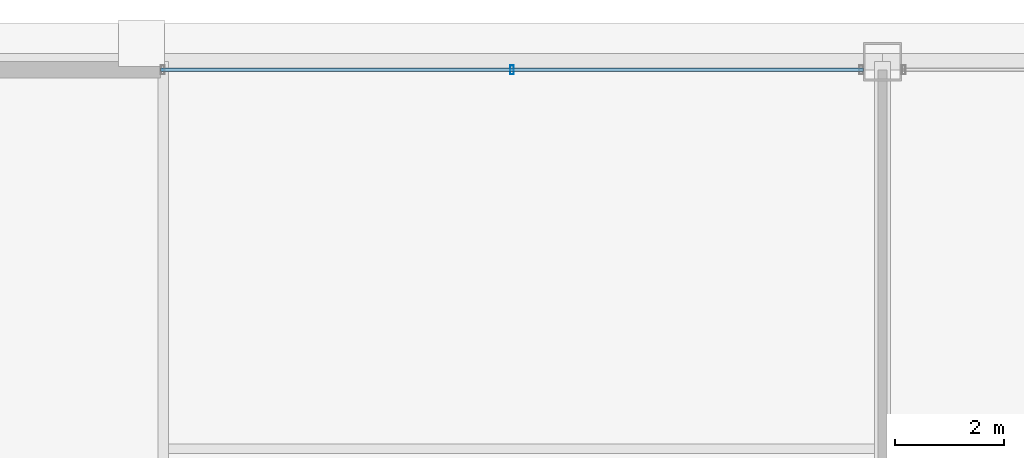
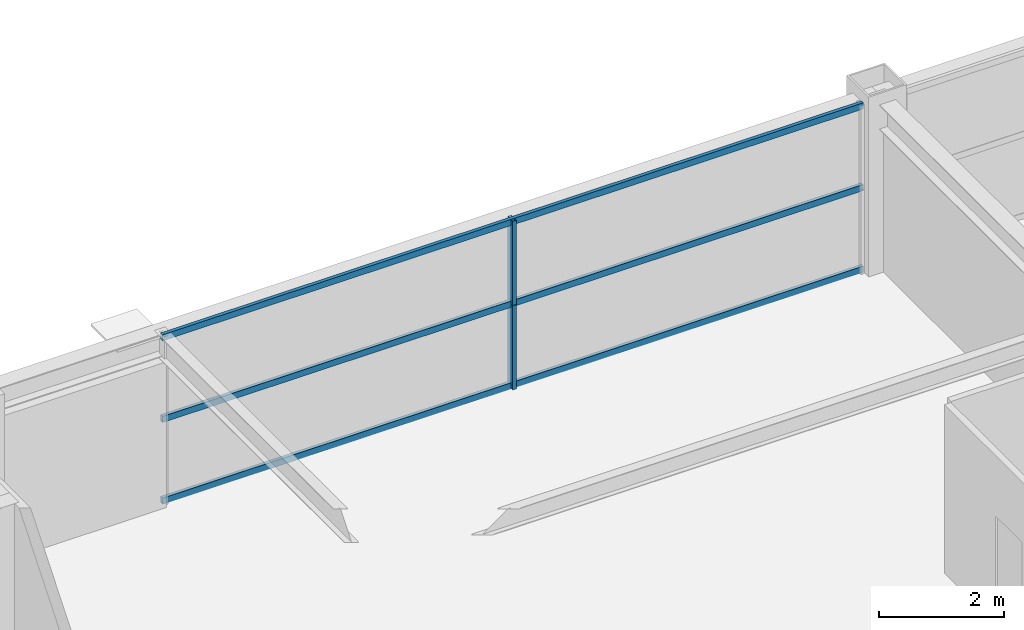
# One storey, part 27 of 37: 5 members, 1 element without a shape of its own.
"""IFC4 building model written with IfcOpenShell, lengths in metres."""

from ifc_helpers import new_model, si_unit, direction, frame, origin, origin_2d, place, context, subcontext, project, spatial, hollow_rectangle, extrude, source, transform, mapped, material, layer, layer_set, material_profile, profile_set, type_object, element, aggregate, save


model = new_model("IFC4")

# Units and contexts
model_context = context("Model", 3, precision=1e-05, world=origin(), true_north=direction((0.0, 1.0)))
body_context = subcontext(model_context, "Body", "Model", "MODEL_VIEW")
ifc_project = project(units=[si_unit("LENGTHUNIT", "METRE"), si_unit("AREAUNIT", "SQUARE_METRE"), si_unit("VOLUMEUNIT", "CUBIC_METRE"), si_unit("PLANEANGLEUNIT", "RADIAN"), si_unit("MASSUNIT", "GRAM", prefix="KILO"), si_unit("THERMODYNAMICTEMPERATUREUNIT", "KELVIN"), si_unit("POWERUNIT", "WATT")], contexts=[model_context])

# Site, building, storey
site_placement = place(None, origin())
site = spatial("IfcSite", under=ifc_project, at=site_placement, CompositionType="ELEMENT")
building_placement = place(site_placement, origin())
building = spatial("IfcBuilding", under=site, at=building_placement, Name="Yuzanri Waterfront Tower", CompositionType="ELEMENT")
storey_placement = place(building_placement, frame((0.0, 0.0, 268.10009765625)))
storey = spatial("IfcBuildingStorey", under=building, at=storey_placement, Name="L71", CompositionType="ELEMENT", Elevation=268.10009765625)

# Curtain wall, members
ifc_material_1 = material(Name="Anodized Architectural Bronze", Category="metal")
ifc_layer = layer(ifc_material_1, 0.159912109375)
ifc_layer_set = layer_set([ifc_layer], Name="Anodized Architectural Bronze")
curtain_wall_type = type_object("IfcCurtainWallType", Name="Anodized Bronze Mid-Rise Residential Acoustic Unitized Curtain Wall 7200", PredefinedType="NOTDEFINED", material=ifc_layer_set)
curtain_wall_placement = place(storey_placement, origin())
curtain_wall = element("IfcCurtainWall", 1, at=curtain_wall_placement, inside=storey, type_object=curtain_wall_type, Name="L71 Curtain Wall CW-L71-NL", PredefinedType="NOTDEFINED")
ifc_material_2 = material(Name="Anodized Architectural Bronze", Category="metal")
ifc_material_profile_1 = material_profile(ifc_material_2, hollow_rectangle(XDim=0.06494140625, YDim=0.159912109375, WallThickness=0.00341796875, at=origin_2d()), Name="CWM 65x160")
ifc_profile_set_1 = profile_set([ifc_material_profile_1], Name="Anodized Architectural Bronze")
member_type_1 = type_object("IfcMemberType", Name="Anodized Bronze Upper-Zone Curtain-Wall Mullion 65x160", PredefinedType="MULLION", material=ifc_profile_set_1)
shared_shape_1 = source(origin(), body_context, "Body", "SweptSolid", [
    extrude(hollow_rectangle(XDim=0.06494140625, YDim=0.159912109375, WallThickness=0.00341796875, at=origin_2d()), origin(), (0.0, 0.0, 1.0), 1.637939453125),
])
member_1_placement = place(storey_placement, frame((30.199951171875, 46.25, 0.0), z_axis=(0.0, 0.0, 1.0), x_axis=(1.0, 0.0, 0.0)))
member_1 = element("IfcMember", 2, at=member_1_placement, type_object=member_type_1, Name="CW-L71-NL Lower Mullion 01", PredefinedType="MULLION", context=body_context, shape_type="MappedRepresentation", body=[
    mapped(shared_shape_1, transform((0.0, 0.0, 0.0), scale=1.0)),
])
member_2_placement = place(storey_placement, frame((30.199951171875, 46.25, 1.641845703125), z_axis=(0.0, 0.0, 1.0), x_axis=(1.0, 0.0, 0.0)))
member_2 = element("IfcMember", 3, at=member_2_placement, type_object=member_type_1, Name="CW-L71-NL Upper Mullion 01", PredefinedType="MULLION", context=body_context, shape_type="MappedRepresentation", body=[
    mapped(shared_shape_1, transform((0.0, 0.0, 0.0), scale=1.0)),
])
ifc_material_3 = material(Name="Anodized Architectural Bronze", Category="metal")
ifc_material_profile_2 = material_profile(ifc_material_3, hollow_rectangle(XDim=0.06494140625, YDim=0.1201171875, WallThickness=0.00341796875, at=origin_2d()), Name="CWT 65x120")
ifc_profile_set_2 = profile_set([ifc_material_profile_2], Name="Anodized Architectural Bronze")
member_type_2 = type_object("IfcMemberType", Name="Anodized Bronze Secondary Curtain-Wall Transom 65x120", PredefinedType="USERDEFINED", material=ifc_profile_set_2)
shared_shape_2 = source(origin(), body_context, "Body", "SweptSolid", [
    extrude(hollow_rectangle(XDim=0.06494140625, YDim=0.1201171875, WallThickness=0.00341796875, at=origin_2d()), origin(), (0.0, 0.0, 1.0), 12.89990234375),
])
member_3_placement = place(storey_placement, frame((23.75, 46.25, 0.0498046875), z_axis=(1.0, 0.0, 0.0), x_axis=(0.0, 1.0, 0.0)))
member_3 = element("IfcMember", 4, at=member_3_placement, type_object=member_type_2, Name="CW-L71-NL Transom 1", ObjectType="TRANSOM", PredefinedType="USERDEFINED", context=body_context, shape_type="MappedRepresentation", body=[
    mapped(shared_shape_2, transform((0.0, 0.0, 0.0), scale=1.0)),
])
member_4_placement = place(storey_placement, frame((23.75, 46.25, 1.639892578125), z_axis=(1.0, 0.0, 0.0), x_axis=(0.0, 1.0, 0.0)))
member_4 = element("IfcMember", 5, at=member_4_placement, type_object=member_type_2, Name="CW-L71-NL Transom 2", ObjectType="TRANSOM", PredefinedType="USERDEFINED", context=body_context, shape_type="MappedRepresentation", body=[
    mapped(shared_shape_2, transform((0.0, 0.0, 0.0), scale=1.0)),
])
member_5_placement = place(storey_placement, frame((23.75, 46.25, 3.22998046875), z_axis=(1.0, 0.0, 0.0), x_axis=(0.0, 1.0, 0.0)))
member_5 = element("IfcMember", 6, at=member_5_placement, type_object=member_type_2, Name="CW-L71-NL Transom 3", ObjectType="TRANSOM", PredefinedType="USERDEFINED", context=body_context, shape_type="MappedRepresentation", body=[
    mapped(shared_shape_2, transform((0.0, 0.0, 0.0), scale=1.0)),
])
aggregate(curtain_wall, [member_1, member_2, member_3, member_4, member_5])

save(model, "model.ifc")
